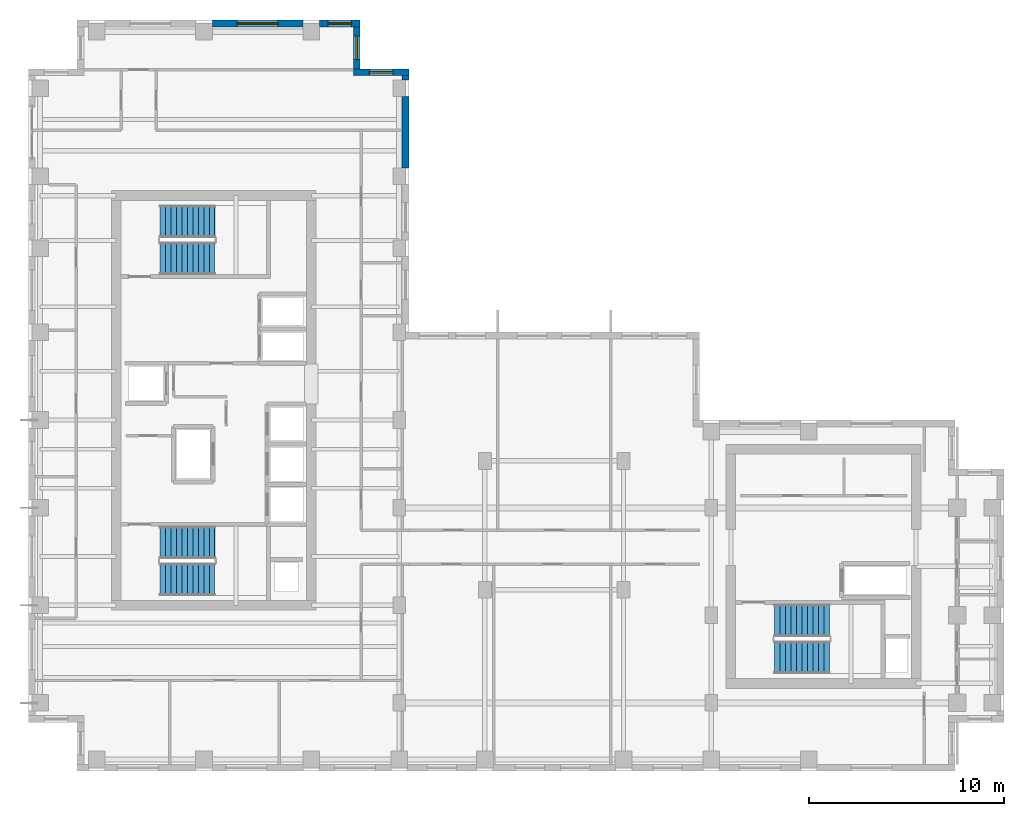
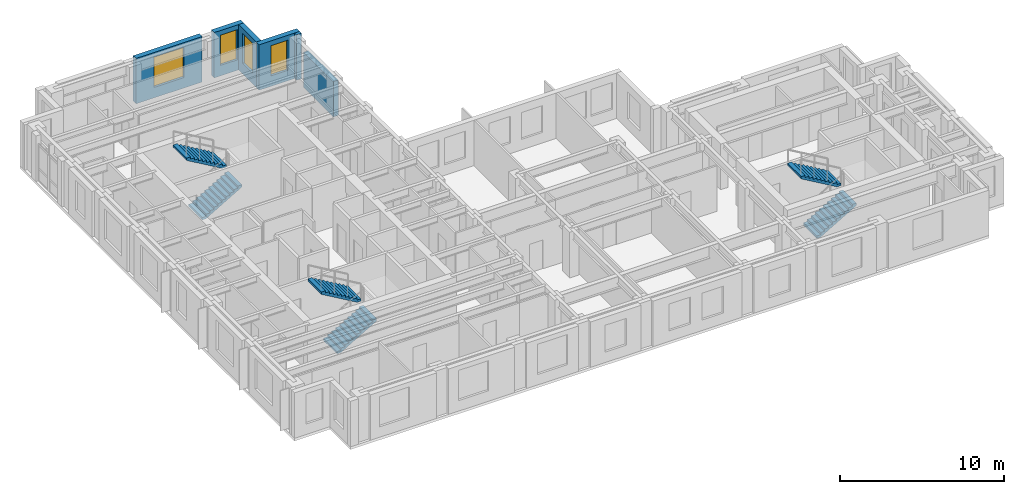
# One storey, part 11 of 13: 6 stair flights, 6 walls, 4 windows, 4 openings, 3 elements without a shape of their own.
"""IFC4 building model written with IfcOpenShell, lengths in metres."""

import ifcopenshell
import ifcopenshell.guid

model = None  # the IFC model being written
_history = None  # IfcOwnerHistory: only IFC2X3 demands one
_inside = {}  # id of a spatial element -> (the spatial element, [elements in it])
_under = {}  # id of a project, library or spatial element -> (it, [spatial elements below it])
_declared = {}  # id of a project -> (the project, [libraries it declares])
_typed = {}  # id of a type object -> (the type object, [elements of that type])
_made_of = {}  # id of a material, layer set ... -> (it, [elements and type objects made of it])


def new_model(schema):
    """Start an empty IFC model of exactly this schema.

    Asked for "IFC4X3", IfcOpenShell would pick the latest addendum, in which some entities
    have other attributes; the version numbers below select the first issue.
    IFC2X3 requires an IfcOwnerHistory on every rooted entity: one is made here for all.
    """
    global model, _history
    if schema == "IFC4X3":
        model = ifcopenshell.file(schema_version=(4, 3, 0, 0))
    else:
        model = ifcopenshell.file(schema=schema)
    _inside.clear()
    _under.clear()
    _declared.clear()
    _typed.clear()
    _made_of.clear()
    _history = None
    if model.schema == "IFC2X3":
        org = make("IfcOrganization", Name="unknown")
        user = make(
            "IfcPersonAndOrganization",
            ThePerson=make("IfcPerson", FamilyName="unknown"),
            TheOrganization=org,
        )
        app = make(
            "IfcApplication",
            ApplicationDeveloper=org,
            Version="unknown",
            ApplicationFullName="unknown",
            ApplicationIdentifier="unknown",
        )
        _history = make(
            "IfcOwnerHistory",
            OwningUser=user,
            OwningApplication=app,
            ChangeAction="ADDED",
            CreationDate=0,
        )
    return model


def make(cls, **values):
    """One entity of the class cls with the attributes given. An attribute that is None is left unset."""
    return model.create_entity(
        cls, **{name: value for name, value in values.items() if value is not None}
    )


def rooted(cls, **values):
    """An entity with a GlobalId (a new one), such as an element, a storey or a relation."""
    return make(cls, GlobalId=ifcopenshell.guid.new(), OwnerHistory=_history, **values)


def si_unit(unit_type, name, prefix=None):
    """IfcSIUnit, for example si_unit("LENGTHUNIT", "METRE", prefix="MILLI")."""
    return make("IfcSIUnit", UnitType=unit_type, Prefix=prefix, Name=name)


def assignment(units):
    """IfcUnitAssignment: the units of a project."""
    return None if units is None else make("IfcUnitAssignment", Units=units)


def point(xyz):
    """IfcCartesianPoint."""
    return None if xyz is None else make("IfcCartesianPoint", Coordinates=xyz)


def direction(xyz):
    """IfcDirection."""
    return None if xyz is None else make("IfcDirection", DirectionRatios=xyz)


def frame(location, z_axis=None, x_axis=None):
    """IfcAxis2Placement3D, a coordinate frame: its origin and axes. An axis left out is left unset."""
    return make(
        "IfcAxis2Placement3D",
        Location=point(location),
        Axis=direction(z_axis),
        RefDirection=direction(x_axis),
    )


def frame_2d(location, x_axis=None):
    """IfcAxis2Placement2D, a coordinate frame in the plane: its origin and x axis."""
    return make(
        "IfcAxis2Placement2D", Location=point(location), RefDirection=direction(x_axis)
    )


def origin():
    """The frame at (0, 0, 0) with its axes left unset."""
    return frame((0.0, 0.0, 0.0))


def place(relative_to, where):
    """IfcLocalPlacement: puts the frame where relative to a parent placement (None: the world)."""
    return make(
        "IfcLocalPlacement", PlacementRelTo=relative_to, RelativePlacement=where
    )


def context(
    kind, dimensions, precision=None, world=None, true_north=None, identifier=None
):
    """IfcGeometricRepresentationContext, for example the 3D "Model" context."""
    return make(
        "IfcGeometricRepresentationContext",
        ContextIdentifier=identifier,
        ContextType=kind,
        CoordinateSpaceDimension=dimensions,
        Precision=precision,
        WorldCoordinateSystem=world,
        TrueNorth=true_north,
    )


def subcontext(parent, identifier, kind, view, scale=None):
    """IfcGeometricRepresentationSubContext, for example "Body" below "Model"."""
    return make(
        "IfcGeometricRepresentationSubContext",
        ContextIdentifier=identifier,
        ContextType=kind,
        ParentContext=parent,
        TargetScale=scale,
        TargetView=view,
    )


def project(units=None, contexts=None):
    """IfcProject with its units and contexts."""
    return rooted(
        "IfcProject",
        Name="project",
        RepresentationContexts=contexts,
        UnitsInContext=assignment(units),
    )


def spatial(cls, under=None, at=None, **own):
    """A site, building, storey or space (cls), placed at a placement, below another one or the project."""
    s = rooted(cls, ObjectPlacement=at, **own)
    if under is not None:
        _under.setdefault(under.id(), (under, []))[1].append(s)
    return s


def polyline(points):
    """IfcPolyline through the points."""
    return make("IfcPolyline", Points=[point(p) for p in points])


def profile(cls, at=None, kind="AREA", **sizes):
    """A parametric profile (cls). Its sizes go by their IFC names, for example OverallWidth=200.0."""
    return make(cls, ProfileType=kind, Position=at, **sizes)


def rectangle(**sizes):
    """IfcRectangleProfileDef."""
    return profile("IfcRectangleProfileDef", **sizes)


def outline(outer, holes=None, kind="AREA"):
    """IfcArbitraryClosedProfileDef: a profile drawn as a closed curve; with holes, ...WithVoids."""
    if holes is None:
        return make("IfcArbitraryClosedProfileDef", ProfileType=kind, OuterCurve=outer)
    return make(
        "IfcArbitraryProfileDefWithVoids",
        ProfileType=kind,
        OuterCurve=outer,
        InnerCurves=holes,
    )


def extrude(swept, where, along, depth):
    """IfcExtrudedAreaSolid: the profile swept, set in the frame where, extruded along a direction by depth."""
    return make(
        "IfcExtrudedAreaSolid",
        SweptArea=swept,
        Position=where,
        ExtrudedDirection=direction(along),
        Depth=depth,
    )


def shape(context_of_items, identifier, shape_type, items):
    """IfcShapeRepresentation: the items that make up one representation, for example the "Body"."""
    return make(
        "IfcShapeRepresentation",
        ContextOfItems=context_of_items,
        RepresentationIdentifier=identifier,
        RepresentationType=shape_type,
        Items=items,
    )


def source(mapping_origin, context_of_items, identifier, shape_type, items):
    """IfcRepresentationMap: a shape defined once, which mapped items show again and again."""
    return make(
        "IfcRepresentationMap",
        MappingOrigin=mapping_origin,
        MappedRepresentation=shape(context_of_items, identifier, shape_type, items),
    )


def transform(
    local_origin,
    x_axis=None,
    y_axis=None,
    z_axis=None,
    scale=None,
    scale2=None,
    scale3=None,
    uniform=True,
):
    """IfcCartesianTransformationOperator3D, or its non-uniform kind. x_axis, y_axis, z_axis: its Axis1, 2, 3."""
    if uniform:
        return make(
            "IfcCartesianTransformationOperator3D",
            Axis1=direction(x_axis),
            Axis2=direction(y_axis),
            LocalOrigin=point(local_origin),
            Scale=scale,
            Axis3=direction(z_axis),
        )
    return make(
        "IfcCartesianTransformationOperator3DnonUniform",
        Axis1=direction(x_axis),
        Axis2=direction(y_axis),
        LocalOrigin=point(local_origin),
        Scale=scale,
        Axis3=direction(z_axis),
        Scale2=scale2,
        Scale3=scale3,
    )


def mapped(mapping_source, mapping_target):
    """IfcMappedItem: shows the shape of a source again, moved by a transform."""
    return make(
        "IfcMappedItem", MappingSource=mapping_source, MappingTarget=mapping_target
    )


def material(Name=None, Category=None):
    """IfcMaterial."""
    return make("IfcMaterial", Name=Name, Category=Category)


def layer(
    of_material, thickness, ventilated=None, Name=None, Category=None, Priority=None
):
    """IfcMaterialLayer: one layer of a wall or slab, of a material (None: an air gap)."""
    return make(
        "IfcMaterialLayer",
        Material=of_material,
        LayerThickness=thickness,
        IsVentilated=ventilated,
        Name=Name,
        Category=Category,
        Priority=Priority,
    )


def layer_set(layers, Name=None):
    """IfcMaterialLayerSet."""
    return make("IfcMaterialLayerSet", MaterialLayers=layers, LayerSetName=Name)


def made_of(thing, what):
    """Note that an element or type object is made of a material, layer set ...; save() writes the relation."""
    if what is not None:
        _made_of.setdefault(what.id(), (what, []))[1].append(thing)
    return thing


def type_object(cls, material=None, **own):
    """A type object (cls), such as IfcWallType, which elements share."""
    return made_of(rooted(cls, **own), material)


def element(
    cls,
    number,
    at=None,
    inside=None,
    cuts=None,
    type_object=None,
    material=None,
    context=None,
    identifier="Body",
    shape_type=None,
    held_by="IfcProductDefinitionShape",
    body=None,
    shapes=None,
    **own,
):
    """One element of the class cls, such as IfcWall. Its Tag is "e" and its number.

    at: its placement. inside: the storey or other place that contains it. cuts: it is an
    opening in that element (IfcRelVoidsElement). A single representation is given by context,
    identifier, shape_type and body (its items); several are given by shapes. held_by: the class
    of the entity that holds the representations. save() writes the other relations.
    """
    e = rooted(cls, Tag="e%d" % number, ObjectPlacement=at, **own)
    if body is not None:
        shapes = [shape(context, identifier, shape_type, body)]
    if shapes is not None:
        e.Representation = make(held_by, Representations=shapes)
    if inside is not None:
        _inside.setdefault(inside.id(), (inside, []))[1].append(e)
    if cuts is not None:
        rooted(
            "IfcRelVoidsElement", RelatingBuildingElement=cuts, RelatedOpeningElement=e
        )
    if type_object is not None:
        _typed.setdefault(type_object.id(), (type_object, []))[1].append(e)
    return made_of(e, material)


def fill(opening, filler):
    """IfcRelFillsElement: the door or window that sits in an opening."""
    return rooted(
        "IfcRelFillsElement",
        RelatingOpeningElement=opening,
        RelatedBuildingElement=filler,
    )


def aggregate(whole, parts):
    """IfcRelAggregates: a whole, such as a stair, and the parts it consists of."""
    return rooted("IfcRelAggregates", RelatingObject=whole, RelatedObjects=parts)


def save(model, path):
    """Write the relations noted so far, then the file.

    IfcRelAggregates (storeys below a building ...), IfcRelContainedInSpatialStructure (elements
    in a storey), IfcRelDefinesByType, IfcRelAssociatesMaterial and IfcRelDeclares: one each for
    every whole, place, type object, material and project.
    """
    for whole, parts in _under.values():
        aggregate(whole, parts)
    for where, things in _inside.values():
        rooted(
            "IfcRelContainedInSpatialStructure",
            RelatedElements=things,
            RelatingStructure=where,
        )
    for kind, things in _typed.values():
        rooted("IfcRelDefinesByType", RelatedObjects=things, RelatingType=kind)
    for what, things in _made_of.values():
        rooted("IfcRelAssociatesMaterial", RelatedObjects=things, RelatingMaterial=what)
    for by, libraries in _declared.values():
        rooted("IfcRelDeclares", RelatingContext=by, RelatedDefinitions=libraries)
    model.write(path)


model = new_model("IFC4")

# Units and contexts
model_context = context("Model", 3, precision=1e-05, world=origin(), true_north=direction((0.0, 1.0)))
body_context = subcontext(model_context, "Body", "Model", "MODEL_VIEW")
ifc_project = project(units=[si_unit("LENGTHUNIT", "METRE"), si_unit("AREAUNIT", "SQUARE_METRE"), si_unit("VOLUMEUNIT", "CUBIC_METRE"), si_unit("PLANEANGLEUNIT", "RADIAN"), si_unit("MASSUNIT", "GRAM", prefix="KILO")], contexts=[model_context])

# Site, building, storey
site_placement = place(None, origin())
site = spatial("IfcSite", under=ifc_project, at=site_placement, CompositionType="ELEMENT")
building_placement = place(site_placement, origin())
building = spatial("IfcBuilding", under=site, at=building_placement, Name="Kharzan Plaza Tower", CompositionType="ELEMENT")
storey_placement = place(building_placement, frame((0.0, 0.0, 252.0)))
storey = spatial("IfcBuildingStorey", under=building, at=storey_placement, Name="L68", CompositionType="ELEMENT", Elevation=252.0)

# Wall, opening, window
ifc_material_1 = material(Name="Concrete C40/50", Category="concrete")
ifc_layer = layer(ifc_material_1, 0.35009765625)
ifc_layer_set = layer_set([ifc_layer], Name="Concrete C40/50")
wall_type = type_object("IfcWallType", Name="WL-EXT-MAS-Z4", PredefinedType="SOLIDWALL", material=ifc_layer_set)
wall_1_placement = place(storey_placement, frame((19.5, 35.824951171875, 0.0), z_axis=(0.0, 0.0, 1.0), x_axis=(-1.0, 0.0, 0.0)))
wall_1 = element("IfcWall", 1, at=wall_1_placement, inside=storey, type_object=wall_type, Name="L68 Masonry-Frame Exterior Wall 06", PredefinedType="SOLIDWALL", context=body_context, shape_type="SweptSolid", body=[
    extrude(rectangle(XDim=2.85009765625, YDim=0.35009765625, at=frame_2d((1.425048828125, 0.0))), origin(), (0.0, 0.0, 1.0), 3.385009765625),
])
opening_1_placement = place(wall_1_placement, frame((0.824951171875, 0.0, 0.780029296875)))
opening_1 = element("IfcOpeningElement", 2, at=opening_1_placement, cuts=wall_1, Name="Opening W3", PredefinedType="OPENING", context=body_context, shape_type="SweptSolid", body=[
    extrude(rectangle(XDim=1.199951171875, YDim=2.25, at=frame_2d((0.60009765625, 1.125))), frame((0.0, 0.18505859375, 0.0), z_axis=(0.0, -1.0, 0.0), x_axis=(1.0, 0.0, 0.0)), (0.0, 0.0, 1.0), 0.3701171875),
])
ifc_material_2 = material(Name="Low-E Double Glazing", Category="glass")
window_type_1 = type_object("IfcWindowType", Name="WN-REC-1200x2100", PartitioningType="SINGLE_PANEL", PredefinedType="WINDOW", material=ifc_material_2)
shared_shape_1 = source(origin(), body_context, "Body", "SweptSolid", [
    extrude(rectangle(XDim=1.199951171875, YDim=2.25, at=frame_2d((0.60009765625, 1.125))), frame((0.0, 0.030029296875, 0.0), z_axis=(0.0, -1.0, 0.0), x_axis=(1.0, 0.0, 0.0)), (0.0, 0.0, 1.0), 0.06005859375),
])
window_1_placement = place(opening_1_placement, origin())
window_1 = element("IfcWindow", 3, at=window_1_placement, inside=storey, type_object=window_type_1, Name="L68 Recessed Solar-Control Window 06-1", OverallHeight=2.25, OverallWidth=1.199951171875, PartitioningType="SINGLE_PANEL", PredefinedType="WINDOW", context=body_context, shape_type="MappedRepresentation", body=[
    mapped(shared_shape_1, transform((0.0, 0.0, 0.0), x_axis=(1.0, 0.0, 0.0), y_axis=(0.0, 1.0, 0.0), z_axis=(0.0, 0.0, 1.0))),
])
fill(opening_1, window_1)

wall_2_placement = place(storey_placement, frame((16.824951171875, 35.998046875, 0.0), z_axis=(0.0, 0.0, 1.0), x_axis=(0.0, 1.0, 0.0)))
wall_2 = element("IfcWall", 4, at=wall_2_placement, inside=storey, type_object=wall_type, Name="L68 Masonry-Frame Exterior Wall 07", PredefinedType="SOLIDWALL", context=body_context, shape_type="SweptSolid", body=[
    extrude(rectangle(XDim=2.154052734375, YDim=0.35009765625, at=frame_2d((1.0771484375, 0.0))), origin(), (0.0, 0.0, 1.0), 3.385009765625),
])
opening_2_placement = place(wall_2_placement, frame((0.47705078125, 0.0, 0.780029296875)))
opening_2 = element("IfcOpeningElement", 5, at=opening_2_placement, cuts=wall_2, Name="Opening W3", PredefinedType="OPENING", context=body_context, shape_type="SweptSolid", body=[
    extrude(rectangle(XDim=1.199951171875, YDim=2.25, at=frame_2d((0.60009765625, 1.125))), frame((0.0, 0.18505859375, 0.0), z_axis=(0.0, -1.0, 0.0), x_axis=(1.0, 0.0, 0.0)), (0.0, 0.0, 1.0), 0.3701171875),
])
window_2_placement = place(opening_2_placement, origin())
window_2 = element("IfcWindow", 6, at=window_2_placement, inside=storey, type_object=window_type_1, Name="L68 Recessed Solar-Control Window 07-1", OverallHeight=2.25, OverallWidth=1.199951171875, PartitioningType="SINGLE_PANEL", PredefinedType="WINDOW", context=body_context, shape_type="MappedRepresentation", body=[
    mapped(shared_shape_1, transform((0.0, 0.0, 0.0), x_axis=(1.0, 0.0, 0.0), y_axis=(0.0, 1.0, 0.0), z_axis=(0.0, 0.0, 1.0))),
])
fill(opening_2, window_2)

wall_3_placement = place(storey_placement, frame((17.0, 38.324951171875, 0.0), z_axis=(0.0, 0.0, 1.0), x_axis=(-1.0, 0.0, 0.0)))
wall_3 = element("IfcWall", 7, at=wall_3_placement, inside=storey, type_object=wall_type, Name="L68 Masonry-Frame Exterior Wall 08", PredefinedType="SOLIDWALL", context=body_context, shape_type="SweptSolid", body=[
    extrude(rectangle(XDim=2.076904296875, YDim=0.35009765625, at=frame_2d((1.03857421875, 0.0))), origin(), (0.0, 0.0, 1.0), 3.385009765625),
])
opening_3_placement = place(wall_3_placement, frame((0.4384765625, 0.0, 0.780029296875)))
opening_3 = element("IfcOpeningElement", 8, at=opening_3_placement, cuts=wall_3, Name="Opening W3", PredefinedType="OPENING", context=body_context, shape_type="SweptSolid", body=[
    extrude(rectangle(XDim=1.199951171875, YDim=2.25, at=frame_2d((0.60009765625, 1.125))), frame((0.0, 0.18505859375, 0.0), z_axis=(0.0, -1.0, 0.0), x_axis=(1.0, 0.0, 0.0)), (0.0, 0.0, 1.0), 0.3701171875),
])
window_3_placement = place(opening_3_placement, origin())
window_3 = element("IfcWindow", 9, at=window_3_placement, inside=storey, type_object=window_type_1, Name="L68 Recessed Solar-Control Window 08-1", OverallHeight=2.25, OverallWidth=1.199951171875, PartitioningType="SINGLE_PANEL", PredefinedType="WINDOW", context=body_context, shape_type="MappedRepresentation", body=[
    mapped(shared_shape_1, transform((0.0, 0.0, 0.0), x_axis=(1.0, 0.0, 0.0), y_axis=(0.0, 1.0, 0.0), z_axis=(0.0, 0.0, 1.0))),
])
fill(opening_3, window_3)

wall_4_placement = place(storey_placement, frame((14.076904296875, 38.324951171875, 0.0), z_axis=(0.0, 0.0, 1.0), x_axis=(-1.0, 0.0, 0.0)))
wall_4 = element("IfcWall", 10, at=wall_4_placement, inside=storey, type_object=wall_type, Name="L68 Masonry-Frame Exterior Wall 09", PredefinedType="SOLIDWALL", context=body_context, shape_type="SweptSolid", body=[
    extrude(rectangle(XDim=4.65380859375, YDim=0.35009765625, at=frame_2d((2.326904296875, 0.0))), origin(), (0.0, 0.0, 1.0), 3.385009765625),
])
opening_4_placement = place(wall_4_placement, frame((1.277099609375, 0.0, 0.780029296875)))
opening_4 = element("IfcOpeningElement", 11, at=opening_4_placement, cuts=wall_4, Name="Opening W6", PredefinedType="OPENING", context=body_context, shape_type="SweptSolid", body=[
    extrude(rectangle(XDim=2.10009765625, YDim=2.25, at=frame_2d((1.050048828125, 1.125))), frame((0.0, 0.18505859375, 0.0), z_axis=(0.0, -1.0, 0.0), x_axis=(1.0, 0.0, 0.0)), (0.0, 0.0, 1.0), 0.3701171875),
])
window_type_2 = type_object("IfcWindowType", Name="WN-EXEC-2100x2250", PartitioningType="SINGLE_PANEL", PredefinedType="WINDOW", material=ifc_material_2)
shared_shape_2 = source(origin(), body_context, "Body", "SweptSolid", [
    extrude(rectangle(XDim=2.10009765625, YDim=2.25, at=frame_2d((1.050048828125, 1.125))), frame((0.0, 0.030029296875, 0.0), z_axis=(0.0, -1.0, 0.0), x_axis=(1.0, 0.0, 0.0)), (0.0, 0.0, 1.0), 0.06005859375),
])
window_4_placement = place(opening_4_placement, origin())
window_4 = element("IfcWindow", 12, at=window_4_placement, inside=storey, type_object=window_type_2, Name="L68 Recessed Solar-Control Window 09-1", OverallHeight=2.25, OverallWidth=2.10009765625, PartitioningType="SINGLE_PANEL", PredefinedType="WINDOW", context=body_context, shape_type="MappedRepresentation", body=[
    mapped(shared_shape_2, transform((0.0, 0.0, 0.0), x_axis=(1.0, 0.0, 0.0), y_axis=(0.0, 1.0, 0.0), z_axis=(0.0, 0.0, 1.0))),
])
fill(opening_4, window_4)

# Walls
shared_shape_3 = source(origin(), body_context, "Body", "SweptSolid", [
    extrude(rectangle(XDim=0.22900390625, YDim=0.35009765625, at=frame_2d((0.114501953125, 0.0))), origin(), (0.0, 0.0, 1.0), 3.385009765625),
])
wall_5_placement = place(storey_placement, frame((19.324951171875, 35.423095703125, 0.0), z_axis=(0.0, 0.0, 1.0), x_axis=(0.0, 1.0, 0.0)))
element("IfcWall", 13, at=wall_5_placement, inside=storey, type_object=wall_type, Name="L68 Masonry-Frame Exterior Wall 05", PredefinedType="SOLIDWALL", context=body_context, shape_type="MappedRepresentation", body=[
    mapped(shared_shape_3, transform((0.0, 0.0, 0.0), x_axis=(1.0, 0.0, 0.0), y_axis=(0.0, 1.0, 0.0), z_axis=(0.0, 0.0, 1.0))),
])
shared_shape_4 = source(origin(), body_context, "Body", "SweptSolid", [
    extrude(rectangle(XDim=3.65380859375, YDim=0.35009765625, at=frame_2d((1.826904296875, 0.0))), origin(), (0.0, 0.0, 1.0), 2.618896484375),
])
wall_6_placement = place(storey_placement, frame((19.324951171875, 30.923095703125, 0.0), z_axis=(0.0, 0.0, 1.0), x_axis=(0.0, 1.0, 0.0)))
element("IfcWall", 14, at=wall_6_placement, inside=storey, type_object=wall_type, Name="L68 Masonry-Frame Exterior Wall 04", PredefinedType="SOLIDWALL", context=body_context, shape_type="MappedRepresentation", body=[
    mapped(shared_shape_4, transform((0.0, 0.0, 0.0), x_axis=(1.0, 0.0, 0.0), y_axis=(0.0, 1.0, 0.0), z_axis=(0.0, 0.0, 1.0))),
])

# Stair, stair flights
stair_type_1 = type_object("IfcStairType", Name="STR-ST-1", PredefinedType="HALF_TURN_STAIR", material=ifc_material_1)
stair_1_placement = place(storey_placement, origin())
stair_1 = element("IfcStair", 15, at=stair_1_placement, inside=storey, type_object=stair_type_1, Name="L68 Protected Exit Stair ST-1", PredefinedType="HALF_TURN_STAIR")
stair_flight_type = type_object("IfcStairFlightType", Name="SFL-1650-R173", PredefinedType="STRAIGHT", material=ifc_material_1)
shared_shape_5 = source(origin(), body_context, "Body", "SweptSolid", [
    extrude(outline(polyline([(-0.0029296875, -0.011962890625), (-0.0029296875, 0.0), (0.0, 0.0), (0.0, 0.16357421875), (0.280029296875, 0.16357421875), (0.280029296875, 0.3271484375), (0.56005859375, 0.3271484375), (0.56005859375, 0.49072265625), (0.840087890625, 0.49072265625), (0.840087890625, 0.654296875), (1.1201171875, 0.654296875), (1.1201171875, 0.81787109375), (1.400146484375, 0.81787109375), (1.400146484375, 0.9814453125), (1.68017578125, 0.9814453125), (1.68017578125, 1.14501953125), (1.960205078125, 1.14501953125), (1.960205078125, 1.30859375), (2.240234375, 1.30859375), (2.240234375, 1.47216796875), (2.520263671875, 1.47216796875), (2.520263671875, 1.6357421875), (2.80029296875, 1.6357421875), (2.80029296875, 1.79931640625), (2.80029296875, 1.462158203125), (0.297119140625, 0.0), (0.297119140625, -0.011962890625), (-0.0029296875, -0.011962890625)])), frame((0.0, 0.824951171875, 0.0), z_axis=(0.0, -1.0, 0.0), x_axis=(1.0, 0.0, 0.0)), (0.0, 0.0, 1.0), 1.64990234375),
])
stair_flight_1_placement = place(storey_placement, frame((6.75, 9.824951171875, 0.0), z_axis=(0.0, 0.0, 1.0), x_axis=(1.0, 0.0, 0.0)))
stair_flight_1 = element("IfcStairFlight", 16, at=stair_flight_1_placement, type_object=stair_flight_type, Name="ST-1 flight 1", NumberOfRisers=11, NumberOfTreads=10, PredefinedType="STRAIGHT", RiserHeight=0.163636364, TreadLength=0.28, context=body_context, shape_type="MappedRepresentation", body=[
    mapped(shared_shape_5, transform((0.0, 0.0, 0.0), x_axis=(1.0, 0.0, 0.0), y_axis=(0.0, 1.0, 0.0), z_axis=(0.0, 0.0, 1.0))),
])
stair_flight_2_placement = place(storey_placement, frame((9.550048828125, 11.72509765625, 1.800048828125), z_axis=(0.0, 0.0, 1.0), x_axis=(-1.0, 0.0, 0.0)))
stair_flight_2 = element("IfcStairFlight", 17, at=stair_flight_2_placement, type_object=stair_flight_type, Name="ST-1 flight 2", NumberOfRisers=11, NumberOfTreads=10, PredefinedType="STRAIGHT", RiserHeight=0.163636364, TreadLength=0.28, context=body_context, shape_type="MappedRepresentation", body=[
    mapped(shared_shape_5, transform((0.0, 0.0, 0.0), x_axis=(1.0, 0.0, 0.0), y_axis=(0.0, 1.0, 0.0), z_axis=(0.0, 0.0, 1.0))),
])
aggregate(stair_1, [stair_flight_1, stair_flight_2])

stair_type_2 = type_object("IfcStairType", Name="STR-ST-2", PredefinedType="HALF_TURN_STAIR", material=ifc_material_1)
stair_2_placement = place(storey_placement, origin())
stair_2 = element("IfcStair", 18, at=stair_2_placement, inside=storey, type_object=stair_type_2, Name="L68 Protected Exit Stair ST-2", PredefinedType="HALF_TURN_STAIR")
stair_flight_3_placement = place(storey_placement, frame((6.75, 26.27490234375, 0.0), z_axis=(0.0, 0.0, 1.0), x_axis=(1.0, 0.0, 0.0)))
stair_flight_3 = element("IfcStairFlight", 19, at=stair_flight_3_placement, type_object=stair_flight_type, Name="ST-2 flight 1", NumberOfRisers=11, NumberOfTreads=10, PredefinedType="STRAIGHT", RiserHeight=0.163636364, TreadLength=0.28, context=body_context, shape_type="MappedRepresentation", body=[
    mapped(shared_shape_5, transform((0.0, 0.0, 0.0), x_axis=(1.0, 0.0, 0.0), y_axis=(0.0, 1.0, 0.0), z_axis=(0.0, 0.0, 1.0))),
])
stair_flight_4_placement = place(storey_placement, frame((9.550048828125, 28.175048828125, 1.800048828125), z_axis=(0.0, 0.0, 1.0), x_axis=(-1.0, 0.0, 0.0)))
stair_flight_4 = element("IfcStairFlight", 20, at=stair_flight_4_placement, type_object=stair_flight_type, Name="ST-2 flight 2", NumberOfRisers=11, NumberOfTreads=10, PredefinedType="STRAIGHT", RiserHeight=0.163636364, TreadLength=0.28, context=body_context, shape_type="MappedRepresentation", body=[
    mapped(shared_shape_5, transform((0.0, 0.0, 0.0), x_axis=(1.0, 0.0, 0.0), y_axis=(0.0, 1.0, 0.0), z_axis=(0.0, 0.0, 1.0))),
])
aggregate(stair_2, [stair_flight_3, stair_flight_4])

stair_type_3 = type_object("IfcStairType", Name="STR-ST-3", PredefinedType="HALF_TURN_STAIR", material=ifc_material_1)
stair_3_placement = place(storey_placement, origin())
stair_3 = element("IfcStair", 21, at=stair_3_placement, inside=storey, type_object=stair_type_3, Name="L68 Protected Exit Stair ST-3", PredefinedType="HALF_TURN_STAIR")
stair_flight_5_placement = place(storey_placement, frame((38.25, 5.824951171875, 0.0), z_axis=(0.0, 0.0, 1.0), x_axis=(1.0, 0.0, 0.0)))
stair_flight_5 = element("IfcStairFlight", 22, at=stair_flight_5_placement, type_object=stair_flight_type, Name="ST-3 flight 1", NumberOfRisers=11, NumberOfTreads=10, PredefinedType="STRAIGHT", RiserHeight=0.163636364, TreadLength=0.28, context=body_context, shape_type="MappedRepresentation", body=[
    mapped(shared_shape_5, transform((0.0, 0.0, 0.0), x_axis=(1.0, 0.0, 0.0), y_axis=(0.0, 1.0, 0.0), z_axis=(0.0, 0.0, 1.0))),
])
stair_flight_6_placement = place(storey_placement, frame((41.050048828125, 7.72509765625, 1.800048828125), z_axis=(0.0, 0.0, 1.0), x_axis=(-1.0, 0.0, 0.0)))
stair_flight_6 = element("IfcStairFlight", 23, at=stair_flight_6_placement, type_object=stair_flight_type, Name="ST-3 flight 2", NumberOfRisers=11, NumberOfTreads=10, PredefinedType="STRAIGHT", RiserHeight=0.163636364, TreadLength=0.28, context=body_context, shape_type="MappedRepresentation", body=[
    mapped(shared_shape_5, transform((0.0, 0.0, 0.0), x_axis=(1.0, 0.0, 0.0), y_axis=(0.0, 1.0, 0.0), z_axis=(0.0, 0.0, 1.0))),
])
aggregate(stair_3, [stair_flight_5, stair_flight_6])

save(model, "model.ifc")
